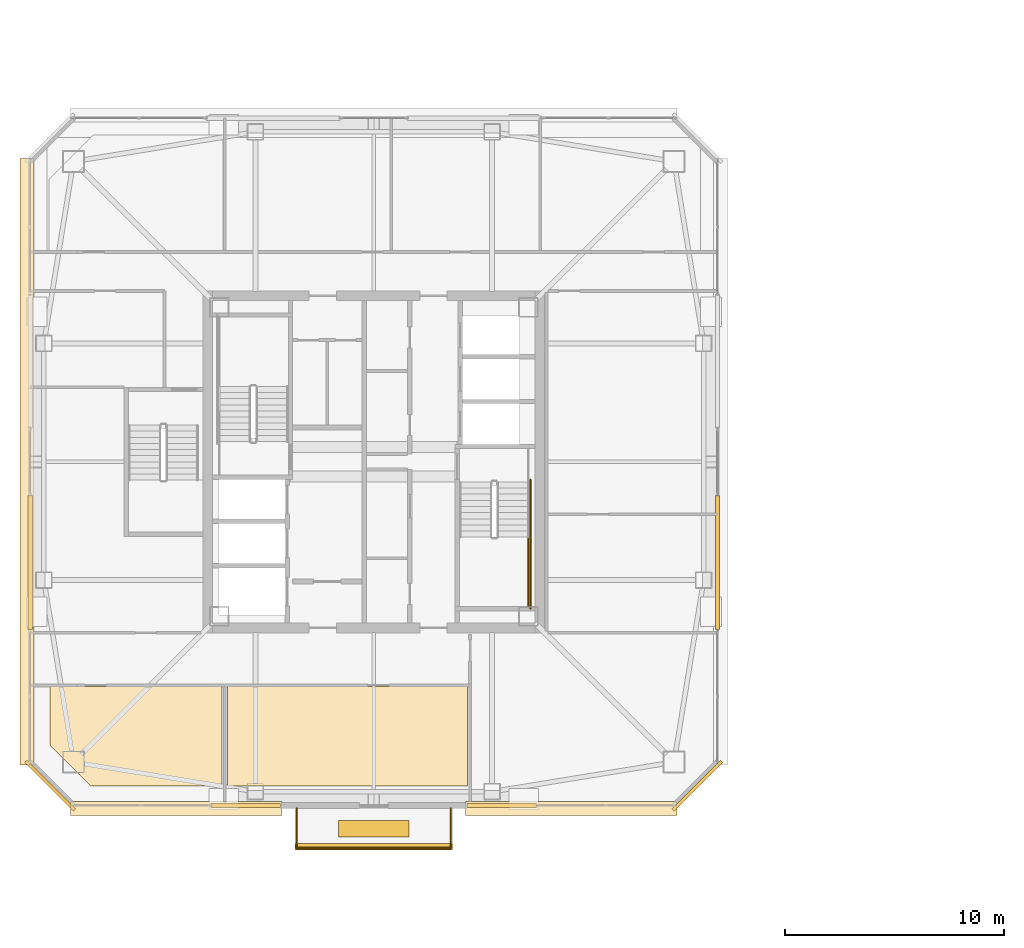
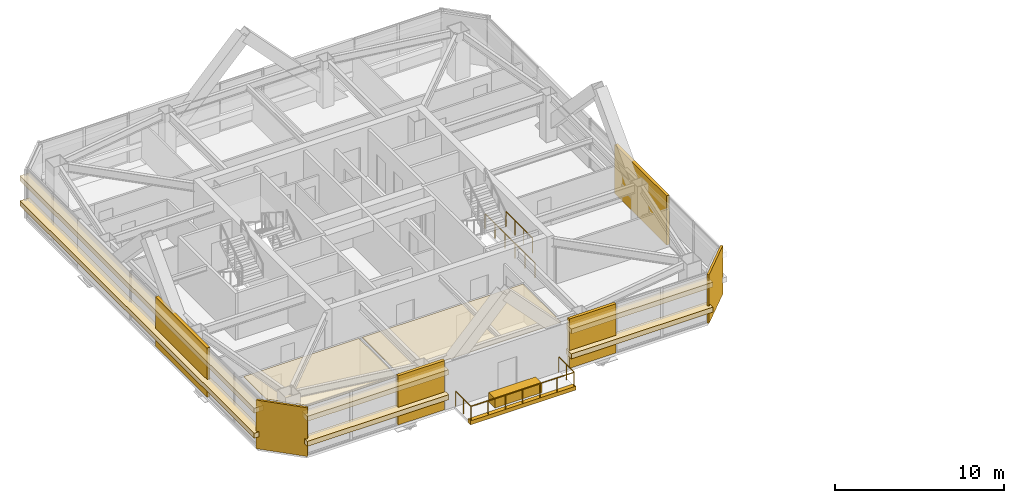
# One storey, part 35 of 39: 16 coverings, 5 railings.
"""IFC4 building model written with IfcOpenShell, lengths in metres."""

from ifc_helpers import new_model, si_unit, direction, frame, origin, origin_2d, place, context, subcontext, project, spatial, polyline, rectangle, outline, extrude, material, layer, layer_set, type_object, element, save


model = new_model("IFC4")

# Units and contexts
model_context = context("Model", 3, precision=1e-05, world=origin(), true_north=direction((0.0, 1.0)))
body_context = subcontext(model_context, "Body", "Model", "MODEL_VIEW")
ifc_project = project(units=[si_unit("LENGTHUNIT", "METRE"), si_unit("AREAUNIT", "SQUARE_METRE"), si_unit("VOLUMEUNIT", "CUBIC_METRE"), si_unit("PLANEANGLEUNIT", "RADIAN"), si_unit("MASSUNIT", "GRAM", prefix="KILO")], contexts=[model_context])

# Site, building, storey
site_placement = place(None, origin())
site = spatial("IfcSite", under=ifc_project, at=site_placement, CompositionType="ELEMENT")
building_placement = place(site_placement, origin())
building = spatial("IfcBuilding", under=site, at=building_placement, Name="Tashvorn Skyway Center", CompositionType="ELEMENT")
storey_placement = place(building_placement, frame((0.0, 0.0, 239.699951171875)))
storey = spatial("IfcBuildingStorey", under=building, at=storey_placement, Name="L65", CompositionType="ELEMENT", Elevation=239.699951171875)

# Coverings
ifc_material_1 = material(Name="Precast concrete C40/50", Category="concrete")
ifc_layer_1 = layer(ifc_material_1, 0.199951171875)
ifc_layer_set_1 = layer_set([ifc_layer_1], Name="Precast concrete C40/50")
covering_type_1 = type_object("IfcCoveringType", Name="COV-BRACE-CLAD", PredefinedType="CLADDING", material=ifc_layer_set_1)
for number, where, z_axis, x_axis, name in (
    (1, (47.83837890625, 16.320068359375, 0.0), (0.0, 0.0, 1.0), (-1.0, 0.0, 0.0), "Tower 1 L65 South Curtain Wall L Mega-Brace Cladding Band 1"),
    (2, (36.16162109375, 16.320068359375, 0.0), (0.0, 0.0, 1.0), (-1.0, 0.0, 0.0), "Tower 1 L65 South Curtain Wall R Mega-Brace Cladding Band 1"),
):
    element("IfcCovering", number, at=place(storey_placement, frame(where, z_axis=z_axis, x_axis=x_axis)), inside=storey, type_object=covering_type_1, Name=name, PredefinedType="CLADDING", context=body_context, shape_type="SweptSolid", body=[
        extrude(rectangle(XDim=3.1767578125, YDim=0.199951171875, at=origin_2d()), origin(), (0.0, 0.0, 1.0), 3.550048828125),
    ])
for number, where, z_axis, x_axis, name in (
    (3, (26.320068359375, 27.40673828125, 0.0), (0.0, 0.0, 1.0), (0.0, 1.0, 0.0), "Tower 1 L65 West Unitised Curtain Wall Mega-Brace Cladding Band 1"),
    (4, (57.679931640625, 27.40673828125, 0.0), (0.0, 0.0, 1.0), (0.0, -1.0, 0.0), "Tower 1 L65 East Unitised Curtain Wall Mega-Brace Cladding Band 2"),
):
    element("IfcCovering", number, at=place(storey_placement, frame(where, z_axis=z_axis, x_axis=x_axis)), inside=storey, type_object=covering_type_1, Name=name, PredefinedType="CLADDING", context=body_context, shape_type="SweptSolid", body=[
        extrude(rectangle(XDim=6.12451171875, YDim=0.199951171875, at=origin_2d()), origin(), (0.0, 0.0, 1.0), 3.550048828125),
    ])
ifc_material_2 = material(Name="Mineral-fibre acoustic ceiling tile on suspended grid")
ifc_layer_2 = layer(ifc_material_2, 0.02001953125)
ifc_layer_set_2 = layer_set([ifc_layer_2], Name="Mineral-fibre acoustic ceiling tile on suspended grid")
covering_type_2 = type_object("IfcCoveringType", Name="COV-CEIL-20", PredefinedType="CEILING", material=ifc_layer_set_2)
covering_1_placement = place(storey_placement, frame((0.0, 0.0, 2.703125)))
element("IfcCovering", 5, at=covering_1_placement, inside=storey, type_object=covering_type_2, Name="Tower 1 L65 Gallery Showroom Acoustic Ceiling", PredefinedType="CEILING", context=body_context, shape_type="SweptSolid", body=[
    extrude(outline(polyline([(27.219970703125, 21.760009765625), (35.080078125, 21.760009765625), (35.080078125, 17.219970703125), (29.080078125, 17.219970703125), (27.219970703125, 19.080078125), (27.219970703125, 21.760009765625)])), origin(), (0.0, 0.0, 1.0), 0.02001953125),
])
covering_2_placement = place(storey_placement, frame((0.0, 0.0, 2.703125)))
element("IfcCovering", 6, at=covering_2_placement, inside=storey, type_object=covering_type_2, Name="Tower 1 L65 Corporate Office Acoustic Ceiling", PredefinedType="CEILING", context=body_context, shape_type="SweptSolid", body=[
    extrude(outline(polyline([(35.320068359375, 21.760009765625), (46.280029296875, 21.760009765625), (46.280029296875, 17.219970703125), (35.320068359375, 17.219970703125), (35.320068359375, 21.760009765625)])), origin(), (0.0, 0.0, 1.0), 0.02001953125),
])
ifc_material_3 = material(Name="Perforated ceramic-coated bronze aluminium solar screen", Category="aluminium")
ifc_layer_3 = layer(ifc_material_3, 0.85009765625)
ifc_layer_set_3 = layer_set([ifc_layer_3], Name="Perforated ceramic-coated bronze aluminium solar screen")
covering_type_3 = type_object("IfcCoveringType", Name="COV-SOLAR-BAND", PredefinedType="CLADDING", material=ifc_layer_set_3)
for number, where, z_axis, x_axis, name in (
    (7, (51.014892578125, 16.179931640625, 0.919921875), (0.0, 0.0, 1.0), (-1.0, 0.0, 0.0), "L65 Perforated Ceramic-Metal Solar Screen Louvre Band South 1"),
    (8, (51.014892578125, 16.179931640625, 2.72021484375), (0.0, 0.0, 1.0), (-1.0, 0.0, 0.0), "L65 Perforated Ceramic-Metal Solar Screen Louvre Band South 2"),
    (9, (32.985107421875, 16.179931640625, 0.919921875), (0.0, 0.0, 1.0), (-1.0, 0.0, 0.0), "L65 Perforated Ceramic-Metal Solar Screen Louvre Band South 1"),
    (10, (32.985107421875, 16.179931640625, 2.72021484375), (0.0, 0.0, 1.0), (-1.0, 0.0, 0.0), "L65 Perforated Ceramic-Metal Solar Screen Louvre Band South 2"),
):
    element("IfcCovering", number, at=place(storey_placement, frame(where, z_axis=z_axis, x_axis=x_axis)), inside=storey, type_object=covering_type_3, Name=name, PredefinedType="CLADDING", context=body_context, shape_type="SweptSolid", body=[
        extrude(rectangle(XDim=9.64990234375, YDim=0.639892578125, at=origin_2d()), origin(), (0.0, 0.0, 1.0), 0.360107421875),
    ])
for number, where, z_axis, x_axis, name in (
    (11, (26.179931640625, 32.0, 0.919921875), (0.0, 0.0, 1.0), (0.0, 1.0, 0.0), "L65 Perforated Ceramic-Metal Solar Screen Louvre Band West 1"),
    (12, (26.179931640625, 32.0, 2.72021484375), (0.0, 0.0, 1.0), (0.0, 1.0, 0.0), "L65 Perforated Ceramic-Metal Solar Screen Louvre Band West 2"),
):
    element("IfcCovering", number, at=place(storey_placement, frame(where, z_axis=z_axis, x_axis=x_axis)), inside=storey, type_object=covering_type_3, Name=name, PredefinedType="CLADDING", context=body_context, shape_type="SweptSolid", body=[
        extrude(rectangle(XDim=27.679931640625, YDim=0.639892578125, at=origin_2d()), origin(), (0.0, 0.0, 1.0), 0.360107421875),
    ])
ifc_layer_4 = layer(ifc_material_1, 0.35009765625)
ifc_layer_set_4 = layer_set([ifc_layer_4], Name="Precast concrete C40/50")
covering_type_4 = type_object("IfcCoveringType", Name="COV-STONE-TRIM", PredefinedType="CLADDING", material=ifc_layer_set_4)
covering_3_placement = place(storey_placement, frame((42.0, 14.43994140625, -0.16015625), z_axis=(0.0, 0.0, 1.0), x_axis=(-1.0, 0.0, 0.0)))
element("IfcCovering", 13, at=covering_3_placement, inside=storey, type_object=covering_type_4, Name="Tower 1 L65 Spiral Terrace Terracotta Fascia", PredefinedType="CLADDING", context=body_context, shape_type="SweptSolid", body=[
    extrude(rectangle(XDim=7.199951171875, YDim=0.280029296875, at=origin_2d()), origin(), (0.0, 0.0, 1.0), 0.280029296875),
])
covering_4_placement = place(storey_placement, frame((42.0, 15.25, 0.0), z_axis=(0.0, 0.0, 1.0), x_axis=(-1.0, 0.0, 0.0)))
element("IfcCovering", 14, at=covering_4_placement, inside=storey, type_object=covering_type_4, Name="Tower 1 L65 Spiral Terrace Planter", PredefinedType="CLADDING", context=body_context, shape_type="SweptSolid", body=[
    extrude(rectangle(XDim=3.199951171875, YDim=0.75, at=origin_2d()), origin(), (0.0, 0.0, 1.0), 0.679931640625),
])
for number, where, z_axis, x_axis, name in (
    (15, (27.22998046875, 17.22998046875, 0.02001953125), (0.0, 0.0, 1.0), (-0.707106781187, 0.707106781187, 0.0), "Tower 1 L65 SW Mojave Limestone Corner Quoin"),
    (16, (56.77001953125, 17.22998046875, 0.02001953125), (0.0, 0.0, 1.0), (0.707106781187, 0.707106781187, 0.0), "Tower 1 L65 SE Mojave Limestone Corner Quoin"),
):
    element("IfcCovering", number, at=place(storey_placement, frame(where, z_axis=z_axis, x_axis=x_axis)), inside=storey, type_object=covering_type_4, Name=name, PredefinedType="CLADDING", context=body_context, shape_type="SweptSolid", body=[
        extrude(rectangle(XDim=3.1298828125, YDim=0.139892578125, at=origin_2d()), origin(), (0.0, 0.0, 1.0), 3.510009765625),
    ])

# Railings
ifc_material_4 = material(Name="Galvanized steel S355", Category="steel")
railing_type_1 = type_object("IfcRailingType", Name="RAIL-GUARD-1120", PredefinedType="GUARDRAIL", material=ifc_material_4)
railing_1_placement = place(storey_placement, frame((38.47998046875, 16.199951171875, 0.0)))
element("IfcRailing", 17, at=railing_1_placement, inside=storey, type_object=railing_type_1, Name="L65 Tower 1 Terrace Guardrail 01", PredefinedType="GUARDRAIL", context=body_context, shape_type="SweptSolid", body=[
    extrude(rectangle(XDim=0.048095703125, YDim=0.048095703125, at=origin_2d()), frame((0.0, 0.0, 1.09619140625), z_axis=(0.0, -1.0, 0.0), x_axis=(1.0, 0.0, 0.0)), (0.0, 0.0, 1.0), 1.820068359375),
    extrude(rectangle(XDim=0.0419921875, YDim=0.0419921875, at=origin_2d()), origin(), (0.0, 0.0, 1.0), 1.072021484375),
    extrude(rectangle(XDim=0.0419921875, YDim=0.0419921875, at=origin_2d()), frame((0.0, -0.91015625, 0.0)), (0.0, 0.0, 1.0), 1.072021484375),
    extrude(rectangle(XDim=0.0419921875, YDim=0.0419921875, at=origin_2d()), frame((0.0, -1.820068359375, 0.0)), (0.0, 0.0, 1.0), 1.072021484375),
])
railing_2_placement = place(storey_placement, frame((38.47998046875, 14.3798828125, 0.0)))
element("IfcRailing", 18, at=railing_2_placement, inside=storey, type_object=railing_type_1, Name="L65 Tower 1 Terrace Guardrail 02", PredefinedType="GUARDRAIL", context=body_context, shape_type="SweptSolid", body=[
    extrude(rectangle(XDim=0.048095703125, YDim=0.048095703125, at=origin_2d()), frame((0.0, 0.0, 1.09619140625), z_axis=(1.0, 0.0, 0.0), x_axis=(0.0, 1.0, 0.0)), (0.0, 0.0, 1.0), 7.0400390625),
    extrude(rectangle(XDim=0.0419921875, YDim=0.0419921875, at=origin_2d()), origin(), (0.0, 0.0, 1.0), 1.072021484375),
    extrude(rectangle(XDim=0.0419921875, YDim=0.0419921875, at=origin_2d()), frame((1.17333984375, 0.0, 0.0)), (0.0, 0.0, 1.0), 1.072021484375),
    extrude(rectangle(XDim=0.0419921875, YDim=0.0419921875, at=origin_2d()), frame((2.3466796875, 0.0, 0.0)), (0.0, 0.0, 1.0), 1.072021484375),
    extrude(rectangle(XDim=0.0419921875, YDim=0.0419921875, at=origin_2d()), frame((3.52001953125, 0.0, 0.0)), (0.0, 0.0, 1.0), 1.072021484375),
    extrude(rectangle(XDim=0.0419921875, YDim=0.0419921875, at=origin_2d()), frame((4.693359375, 0.0, 0.0)), (0.0, 0.0, 1.0), 1.072021484375),
    extrude(rectangle(XDim=0.0419921875, YDim=0.0419921875, at=origin_2d()), frame((5.86669921875, 0.0, 0.0)), (0.0, 0.0, 1.0), 1.072021484375),
    extrude(rectangle(XDim=0.0419921875, YDim=0.0419921875, at=origin_2d()), frame((7.0400390625, 0.0, 0.0)), (0.0, 0.0, 1.0), 1.072021484375),
])
railing_3_placement = place(storey_placement, frame((45.52001953125, 14.3798828125, 0.0)))
element("IfcRailing", 19, at=railing_3_placement, inside=storey, type_object=railing_type_1, Name="L65 Tower 1 Terrace Guardrail 03", PredefinedType="GUARDRAIL", context=body_context, shape_type="SweptSolid", body=[
    extrude(rectangle(XDim=0.048095703125, YDim=0.048095703125, at=origin_2d()), frame((0.0, 0.0, 1.09619140625), z_axis=(0.0, 1.0, 0.0), x_axis=(-1.0, 0.0, 0.0)), (0.0, 0.0, 1.0), 1.820068359375),
    extrude(rectangle(XDim=0.0419921875, YDim=0.0419921875, at=origin_2d()), origin(), (0.0, 0.0, 1.0), 1.072021484375),
    extrude(rectangle(XDim=0.0419921875, YDim=0.0419921875, at=origin_2d()), frame((0.0, 0.91015625, 0.0)), (0.0, 0.0, 1.0), 1.072021484375),
    extrude(rectangle(XDim=0.0419921875, YDim=0.0419921875, at=origin_2d()), frame((0.0, 1.820068359375, 0.0)), (0.0, 0.0, 1.0), 1.072021484375),
])
ifc_material_5 = material(Name="Painted galvanized steel S355", Category="steel")
railing_type_2 = type_object("IfcRailingType", Name="RAIL-STGUARD-1100", PredefinedType="GUARDRAIL", material=ifc_material_5)
railing_4_placement = place(storey_placement, frame((49.050048828125, 28.56005859375, 1.775146484375)))
element("IfcRailing", 20, at=railing_4_placement, inside=storey, type_object=railing_type_2, Name="L65 ST-T1-2 stair guard 3", PredefinedType="GUARDRAIL", context=body_context, shape_type="SweptSolid", body=[
    extrude(rectangle(XDim=0.048095703125, YDim=0.048095703125, at=origin_2d()), frame((0.0, 0.0, 1.076171875), z_axis=(0.0, -1.0, 0.0), x_axis=(1.0, 0.0, 0.0)), (0.0, 0.0, 1.0), 3.16015625),
    extrude(rectangle(XDim=0.0419921875, YDim=0.0419921875, at=origin_2d()), origin(), (0.0, 0.0, 1.0), 1.052001953125),
    extrude(rectangle(XDim=0.0419921875, YDim=0.0419921875, at=origin_2d()), frame((0.0, -1.053466796875, 0.0)), (0.0, 0.0, 1.0), 1.052001953125),
    extrude(rectangle(XDim=0.0419921875, YDim=0.0419921875, at=origin_2d()), frame((0.0, -2.106689453125, 0.0)), (0.0, 0.0, 1.0), 1.052001953125),
    extrude(rectangle(XDim=0.0419921875, YDim=0.0419921875, at=origin_2d()), frame((0.0, -3.16015625, 0.0)), (0.0, 0.0, 1.0), 1.052001953125),
])
railing_5_placement = place(storey_placement, frame((49.14990234375, 31.179931640625, 0.0)))
element("IfcRailing", 21, at=railing_5_placement, inside=storey, type_object=railing_type_2, Name="L65 ST-T1-2 stair guard 7", PredefinedType="GUARDRAIL", context=body_context, shape_type="SweptSolid", body=[
    extrude(rectangle(XDim=0.048095703125, YDim=0.048095703125, at=origin_2d()), frame((0.0, 0.0, 1.076171875), z_axis=(0.0, -1.0, 0.0), x_axis=(1.0, 0.0, 0.0)), (0.0, 0.0, 1.0), 5.8798828125),
    extrude(rectangle(XDim=0.0419921875, YDim=0.0419921875, at=origin_2d()), origin(), (0.0, 0.0, 1.0), 1.052001953125),
    extrude(rectangle(XDim=0.0419921875, YDim=0.0419921875, at=origin_2d()), frame((0.0, -1.176025390625, 0.0)), (0.0, 0.0, 1.0), 1.052001953125),
    extrude(rectangle(XDim=0.0419921875, YDim=0.0419921875, at=origin_2d()), frame((0.0, -2.35205078125, 0.0)), (0.0, 0.0, 1.0), 1.052001953125),
    extrude(rectangle(XDim=0.0419921875, YDim=0.0419921875, at=origin_2d()), frame((0.0, -3.52783203125, 0.0)), (0.0, 0.0, 1.0), 1.052001953125),
    extrude(rectangle(XDim=0.0419921875, YDim=0.0419921875, at=origin_2d()), frame((0.0, -4.703857421875, 0.0)), (0.0, 0.0, 1.0), 1.052001953125),
    extrude(rectangle(XDim=0.0419921875, YDim=0.0419921875, at=origin_2d()), frame((0.0, -5.8798828125, 0.0)), (0.0, 0.0, 1.0), 1.052001953125),
])

save(model, "model.ifc")
